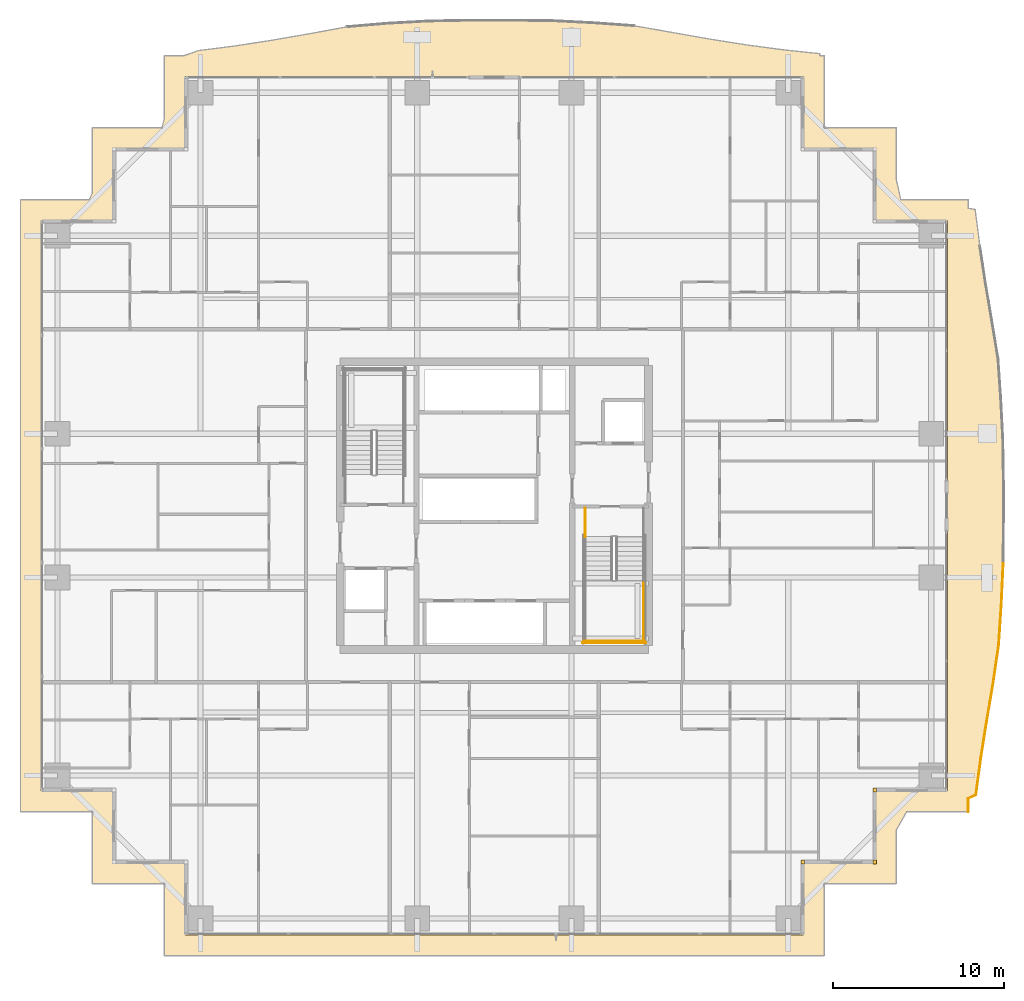
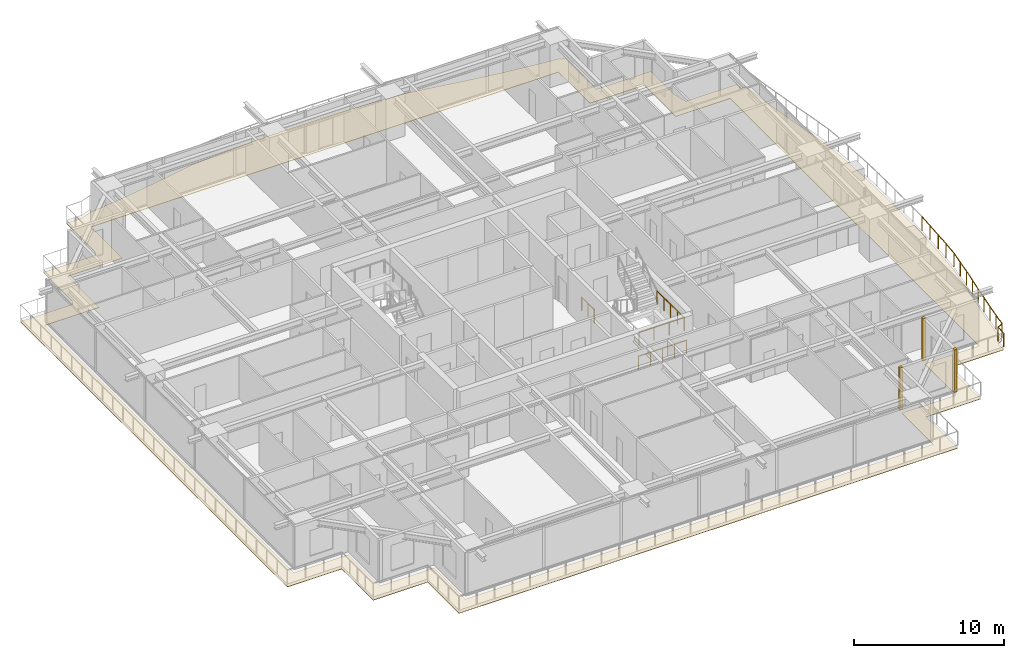
# One storey, part 36 of 38: 5 railings, 4 coverings.
"""IFC4 building model written with IfcOpenShell, lengths in metres."""

from ifc_helpers import new_model, si_unit, direction, frame, origin, origin_2d, place, context, subcontext, project, spatial, polyline, rectangle, circle, outline, extrude, source, transform, mapped, material, layer, layer_set, type_object, element, save


model = new_model("IFC4")

# Units and contexts
model_context = context("Model", 3, precision=1e-05, world=origin(), true_north=direction((0.0, 1.0)))
body_context = subcontext(model_context, "Body", "Model", "MODEL_VIEW")
ifc_project = project(units=[si_unit("LENGTHUNIT", "METRE"), si_unit("AREAUNIT", "SQUARE_METRE"), si_unit("VOLUMEUNIT", "CUBIC_METRE"), si_unit("PLANEANGLEUNIT", "RADIAN"), si_unit("MASSUNIT", "GRAM", prefix="KILO")], contexts=[model_context])

# Site, building, storey
site_placement = place(None, origin())
site = spatial("IfcSite", under=ifc_project, at=site_placement, CompositionType="ELEMENT")
building_placement = place(site_placement, origin())
building = spatial("IfcBuilding", under=site, at=building_placement, Name="Serunith Strait Residences", CompositionType="ELEMENT")
storey_placement = place(building_placement, frame((0.0, 0.0, 30.449951171875)))
storey = spatial("IfcBuildingStorey", under=building, at=storey_placement, Name="L06", CompositionType="ELEMENT", Elevation=30.449951171875)

# Covering
ifc_material_1 = material(Name="Golden Teak Exterior Timber Boarding", Category="wood")
ifc_layer_1 = layer(ifc_material_1, 0.034912109375, Name="Golden Teak Exterior Timber Boarding")
ifc_layer_set_1 = layer_set([ifc_layer_1], Name="Golden Teak Exterior Timber Boarding")
covering_type_1 = type_object("IfcCoveringType", Name="COV-TEAK-SOFFIT", PredefinedType="CEILING", material=ifc_layer_set_1)
covering_placement = place(storey_placement, frame((0.0, 0.0, -0.324951171875)))
element("IfcCovering", 1, at=covering_placement, inside=storey, type_object=covering_type_1, Name="L06 Golden-Teak Balcony Soffit Lining", PredefinedType="CEILING", context=body_context, shape_type="SweptSolid", body=[
    extrude(outline(polyline([(13.00341796875, 47.260009765625), (13.139892578125, 47.77490234375), (13.139892578125, 51.4599609375), (14.294921875, 51.4599609375), (15.12109375, 51.755859375), (17.243408203125, 52.02587890625), (19.3837890625, 52.35498046875), (21.560302734375, 52.73486328125), (23.7939453125, 53.141357421875), (26.14306640625, 53.342041015625), (28.535888671875, 53.47412109375), (30.954345703125, 53.52001953125), (33.383056640625, 53.52001953125), (35.8046875, 53.492919921875), (38.203125, 53.37109375), (40.5673828125, 53.2021484375), (42.818603515625, 52.8115234375), (45.004638671875, 52.424072265625), (47.150390625, 52.084228515625), (49.275146484375, 51.802734375), (51.392578125, 51.578857421875), (51.391845703125, 51.4599609375), (51.659912109375, 51.4599609375), (51.659912109375, 47.260009765625), (55.860107421875, 47.260009765625), (55.860107421875, 44.209716796875), (56.122802734375, 43.06005859375), (60.06005859375, 43.06005859375), (60.06005859375, 42.552001953125), (60.45751953125, 42.488037109375), (60.734375, 40.360107421875), (61.06298828125, 38.210693359375), (61.432861328125, 36.023193359375), (61.802001953125, 33.775634765625), (61.963134765625, 31.42431640625), (62.082763671875, 29.04150390625), (62.1201171875, 26.63671875), (62.1201171875, 24.22314453125), (62.099609375, 21.815673828125), (61.989501953125, 19.427734375), (61.83544921875, 17.070068359375), (61.506103515625, 14.7998046875), (61.131103515625, 12.60302734375), (60.793212890625, 10.44775390625), (60.506103515625, 8.31689453125), (60.06005859375, 8.11279296875), (60.06005859375, 7.340087890625), (56.46923828125, 7.340087890625), (55.860107421875, 6.272705078125), (55.860107421875, 3.139892578125), (51.659912109375, 3.139892578125), (51.659912109375, -1.06005859375), (13.139892578125, -1.06005859375), (13.139892578125, 3.139892578125), (8.93994140625, 3.139892578125), (8.93994140625, 7.340087890625), (4.739990234375, 7.340087890625), (4.739990234375, 43.06005859375), (8.7587890625, 43.06005859375), (8.93994140625, 43.457763671875), (8.93994140625, 47.260009765625), (13.00341796875, 47.260009765625)]), holes=[polyline([(50.455078125, 0.14501953125), (50.455078125, 4.344970703125), (54.655029296875, 4.344970703125), (54.655029296875, 8.544921875), (58.85498046875, 8.544921875), (58.85498046875, 41.85498046875), (54.655029296875, 41.85498046875), (54.655029296875, 46.054931640625), (50.455078125, 46.054931640625), (50.455078125, 50.2548828125), (14.344970703125, 50.2548828125), (14.344970703125, 46.054931640625), (10.14501953125, 46.054931640625), (10.14501953125, 41.85498046875), (5.945068359375, 41.85498046875), (5.945068359375, 8.544921875), (10.14501953125, 8.544921875), (10.14501953125, 4.344970703125), (14.344970703125, 4.344970703125), (14.344970703125, 0.14501953125), (50.455078125, 0.14501953125)])]), origin(), (0.0, 0.0, 1.0), 0.034912109375),
])

# Railings
ifc_material_2 = material(Name="Stainless Steel & Laminated Glass Balustrade", Category="steel")
railing_type_1 = type_object("IfcRailingType", Name="RLG-BALC-1150", PredefinedType="BALUSTRADE", material=ifc_material_2)
railing_1_placement = place(storey_placement, frame((62.099609375, 21.815673828125, -0.050048828125)))
element("IfcRailing", 2, at=railing_1_placement, inside=storey, type_object=railing_type_1, Name="L06 Swirling Balcony Perimeter Balustrade 6", PredefinedType="BALUSTRADE", context=body_context, shape_type="SweptSolid", body=[
    extrude(circle(Radius=0.02392578125, at=origin_2d()), frame((0.0, -0.001953125, 1.1259765625), z_axis=(-0.046060865395, -0.998938635092, 0.0), x_axis=(0.998938635092, -0.046060865395, 0.0)), (0.0, 0.0, 1.0), 2.386474609375),
    extrude(circle(Radius=0.02392578125, at=origin_2d()), frame((-0.1103515625, -2.389892578125, 1.1259765625), z_axis=(-0.065202162092, -0.997872074997, 0.0), x_axis=(0.997872074997, -0.065202162092, 0.0)), (0.0, 0.0, 1.0), 2.358642578125),
    extrude(circle(Radius=0.02392578125, at=origin_2d()), frame((-0.264404296875, -4.74755859375, 1.1259765625), z_axis=(-0.14356654037, -0.989640666346, 0.0), x_axis=(0.989640666346, -0.14356654037, 0.0)), (0.0, 0.0, 1.0), 2.2900390625),
    extrude(circle(Radius=0.02392578125, at=origin_2d()), frame((-0.59375, -7.017822265625, 1.1259765625), z_axis=(-0.168270499855, -0.985740857872, 0.0), x_axis=(0.985740857872, -0.168270499855, 0.0)), (0.0, 0.0, 1.0), 2.224609375),
    extrude(circle(Radius=0.02392578125, at=origin_2d()), frame((-0.96875, -9.214599609375, 1.1259765625), z_axis=(-0.154882104311, -0.987932960157, 0.0), x_axis=(0.987932960157, -0.154882104311, 0.0)), (0.0, 0.0, 1.0), 2.177490234375),
    extrude(circle(Radius=0.02392578125, at=origin_2d()), frame((-1.306640625, -11.369873046875, 1.1259765625), z_axis=(-0.133532116849, -0.991044486272, 0.0), x_axis=(0.991044486272, -0.133532116849, 0.0)), (0.0, 0.0, 1.0), 2.14599609375),
    extrude(circle(Radius=0.02392578125, at=origin_2d()), frame((-1.59521484375, -13.49951171875, 1.1259765625), z_axis=(-0.909323858246, -0.416089077993, 0.0), x_axis=(0.416089077993, -0.909323858246, 0.0)), (0.0, 0.0, 1.0), 0.486572265625),
    extrude(circle(Radius=0.02392578125, at=origin_2d()), frame((-2.03955078125, -13.704833984375, 1.1259765625), z_axis=(0.0, -1.0, 0.0), x_axis=(1.0, 0.0, 0.0)), (0.0, 0.0, 1.0), 0.768798828125),
    extrude(circle(Radius=0.02099609375, at=origin_2d()), origin(), (0.0, 0.0, 1.0), 1.099853515625),
    extrude(circle(Radius=0.02099609375, at=origin_2d()), frame((-0.05517578125, -1.19384765625, 0.0)), (0.0, 0.0, 1.0), 1.099853515625),
    extrude(circle(Radius=0.02099609375, at=origin_2d()), frame((-0.110107421875, -2.387939453125, 0.0)), (0.0, 0.0, 1.0), 1.099853515625),
    extrude(circle(Radius=0.02099609375, at=origin_2d()), frame((-0.18701171875, -3.56689453125, 0.0)), (0.0, 0.0, 1.0), 1.099853515625),
    extrude(circle(Radius=0.02099609375, at=origin_2d()), frame((-0.26416015625, -4.74560546875, 0.0)), (0.0, 0.0, 1.0), 1.099853515625),
    extrude(circle(Radius=0.02099609375, at=origin_2d()), frame((-0.4287109375, -5.880859375, 0.0)), (0.0, 0.0, 1.0), 1.099853515625),
    extrude(circle(Radius=0.02099609375, at=origin_2d()), frame((-0.593505859375, -7.015869140625, 0.0)), (0.0, 0.0, 1.0), 1.099853515625),
    extrude(circle(Radius=0.02099609375, at=origin_2d()), frame((-0.781005859375, -8.1142578125, 0.0)), (0.0, 0.0, 1.0), 1.099853515625),
    extrude(circle(Radius=0.02099609375, at=origin_2d()), frame((-0.968505859375, -9.212646484375, 0.0)), (0.0, 0.0, 1.0), 1.099853515625),
    extrude(circle(Radius=0.02099609375, at=origin_2d()), frame((-1.137451171875, -10.290283203125, 0.0)), (0.0, 0.0, 1.0), 1.099853515625),
    extrude(circle(Radius=0.02099609375, at=origin_2d()), frame((-1.306396484375, -11.367919921875, 0.0)), (0.0, 0.0, 1.0), 1.099853515625),
    extrude(circle(Radius=0.02099609375, at=origin_2d()), frame((-1.449951171875, -12.433349609375, 0.0)), (0.0, 0.0, 1.0), 1.099853515625),
    extrude(circle(Radius=0.02099609375, at=origin_2d()), frame((-1.593505859375, -13.498779296875, 0.0)), (0.0, 0.0, 1.0), 1.099853515625),
    extrude(circle(Radius=0.02099609375, at=origin_2d()), frame((-2.03955078125, -13.702880859375, 0.0)), (0.0, 0.0, 1.0), 1.099853515625),
    extrude(circle(Radius=0.02099609375, at=origin_2d()), frame((-2.03955078125, -14.4755859375, 0.0)), (0.0, 0.0, 1.0), 1.099853515625),
])
ifc_material_3 = material(Name="Brushed stainless steel 316L", Category="steel")
railing_type_2 = type_object("IfcRailingType", Name="RLG-STAIR-GUARD", PredefinedType="BALUSTRADE", material=ifc_material_3)
railing_2_placement = place(storey_placement, frame((41.10009765625, 20.85009765625, 1.875)))
element("IfcRailing", 3, at=railing_2_placement, inside=storey, type_object=railing_type_2, Name="L06 ST-2 stair guard 4", PredefinedType="BALUSTRADE", context=body_context, shape_type="SweptSolid", body=[
    extrude(circle(Radius=0.02392578125, at=origin_2d()), frame((0.0, -0.001953125, 1.076171875), z_axis=(0.0, -1.0, 0.0), x_axis=(1.0, 0.0, 0.0)), (0.0, 0.0, 1.0), 3.59619140625),
    extrude(circle(Radius=0.02099609375, at=origin_2d()), origin(), (0.0, 0.0, 1.0), 1.050048828125),
    extrude(circle(Radius=0.02099609375, at=origin_2d()), frame((0.0, -0.89990234375, 0.0)), (0.0, 0.0, 1.0), 1.050048828125),
    extrude(circle(Radius=0.02099609375, at=origin_2d()), frame((0.0, -1.800048828125, 0.0)), (0.0, 0.0, 1.0), 1.050048828125),
    extrude(circle(Radius=0.02099609375, at=origin_2d()), frame((0.0, -2.7001953125, 0.0)), (0.0, 0.0, 1.0), 1.050048828125),
    extrude(circle(Radius=0.02099609375, at=origin_2d()), frame((0.0, -3.60009765625, 0.0)), (0.0, 0.0, 1.0), 1.050048828125),
])
railing_3_placement = place(storey_placement, frame((37.64990234375, 17.300048828125, 1.875)))
element("IfcRailing", 4, at=railing_3_placement, inside=storey, type_object=railing_type_2, Name="L06 ST-2 stair guard 5", PredefinedType="BALUSTRADE", context=body_context, shape_type="SweptSolid", body=[
    extrude(circle(Radius=0.02392578125, at=origin_2d()), frame((0.001953125, 0.0, 1.076171875), z_axis=(1.0, 0.0, 0.0), x_axis=(0.0, 1.0, 0.0)), (0.0, 0.0, 1.0), 3.49609375),
    extrude(circle(Radius=0.02099609375, at=origin_2d()), origin(), (0.0, 0.0, 1.0), 1.050048828125),
    extrude(circle(Radius=0.02099609375, at=origin_2d()), frame((1.166748046875, 0.0, 0.0)), (0.0, 0.0, 1.0), 1.050048828125),
    extrude(circle(Radius=0.02099609375, at=origin_2d()), frame((2.333251953125, 0.0, 0.0)), (0.0, 0.0, 1.0), 1.050048828125),
    extrude(circle(Radius=0.02099609375, at=origin_2d()), frame((3.5, 0.0, 0.0)), (0.0, 0.0, 1.0), 1.050048828125),
])
railing_4_placement = place(storey_placement, frame((37.699951171875, 25.050048828125, 0.0)))
element("IfcRailing", 5, at=railing_4_placement, inside=storey, type_object=railing_type_2, Name="L06 ST-2 stair guard 8", PredefinedType="BALUSTRADE", context=body_context, shape_type="SweptSolid", body=[
    extrude(circle(Radius=0.02392578125, at=origin_2d()), frame((0.0, -0.001953125, 1.076171875), z_axis=(0.0, -1.0, 0.0), x_axis=(1.0, 0.0, 0.0)), (0.0, 0.0, 1.0), 1.676025390625),
    extrude(circle(Radius=0.02099609375, at=origin_2d()), origin(), (0.0, 0.0, 1.0), 1.050048828125),
    extrude(circle(Radius=0.02099609375, at=origin_2d()), frame((0.0, -0.83984375, 0.0)), (0.0, 0.0, 1.0), 1.050048828125),
    extrude(circle(Radius=0.02099609375, at=origin_2d()), frame((0.0, -1.679931640625, 0.0)), (0.0, 0.0, 1.0), 1.050048828125),
])
railing_5_placement = place(storey_placement, frame((37.550048828125, 17.199951171875, 0.0)))
element("IfcRailing", 6, at=railing_5_placement, inside=storey, type_object=railing_type_2, Name="L06 ST-2 stair guard 12", PredefinedType="BALUSTRADE", context=body_context, shape_type="SweptSolid", body=[
    extrude(circle(Radius=0.02392578125, at=origin_2d()), frame((0.001953125, 0.0, 1.076171875), z_axis=(1.0, 0.0, 0.0), x_axis=(0.0, 1.0, 0.0)), (0.0, 0.0, 1.0), 3.696044921875),
    extrude(circle(Radius=0.02099609375, at=origin_2d()), origin(), (0.0, 0.0, 1.0), 1.050048828125),
    extrude(circle(Radius=0.02099609375, at=origin_2d()), frame((0.925048828125, 0.0, 0.0)), (0.0, 0.0, 1.0), 1.050048828125),
    extrude(circle(Radius=0.02099609375, at=origin_2d()), frame((1.85009765625, 0.0, 0.0)), (0.0, 0.0, 1.0), 1.050048828125),
    extrude(circle(Radius=0.02099609375, at=origin_2d()), frame((2.77490234375, 0.0, 0.0)), (0.0, 0.0, 1.0), 1.050048828125),
    extrude(circle(Radius=0.02099609375, at=origin_2d()), frame((3.699951171875, 0.0, 0.0)), (0.0, 0.0, 1.0), 1.050048828125),
])

# Coverings
ifc_material_4 = material(Name="Pale-Champagne Anodised Aluminium", Category="aluminium")
ifc_layer_2 = layer(ifc_material_4, 0.219970703125, Name="Pale-Champagne Anodised Aluminium")
ifc_layer_set_2 = layer_set([ifc_layer_2], Name="Pale-Champagne Anodised Aluminium")
covering_type_2 = type_object("IfcCoveringType", Name="COV-CORN-TRIM", PredefinedType="CLADDING", material=ifc_layer_set_2)
shared_shape = source(origin(), body_context, "Body", "SweptSolid", [
    extrude(rectangle(XDim=0.221923828125, YDim=0.221923828125, at=origin_2d()), origin(), (0.0, 0.0, 1.0), 3.47509765625),
])
for number, where, z_axis, x_axis, name in (
    (7, (50.39990234375, 4.39990234375, 0.0), (0.0, 0.0, 1.0), (1.0, 0.0, 0.0), "L06 Girih Serrated Corner Trim Post 02"),
    (8, (54.60009765625, 4.39990234375, 0.0), (0.0, 0.0, 1.0), (1.0, 0.0, 0.0), "L06 Girih Serrated Corner Trim Post 03"),
    (9, (54.60009765625, 8.60009765625, 0.0), (0.0, 0.0, 1.0), (1.0, 0.0, 0.0), "L06 Girih Serrated Corner Trim Post 04"),
):
    element("IfcCovering", number, at=place(storey_placement, frame(where, z_axis=z_axis, x_axis=x_axis)), inside=storey, type_object=covering_type_2, Name=name, PredefinedType="CLADDING", context=body_context, shape_type="MappedRepresentation", body=[
        mapped(shared_shape, transform((0.0, 0.0, 0.0), scale=1.0)),
    ])

save(model, "model.ifc")
